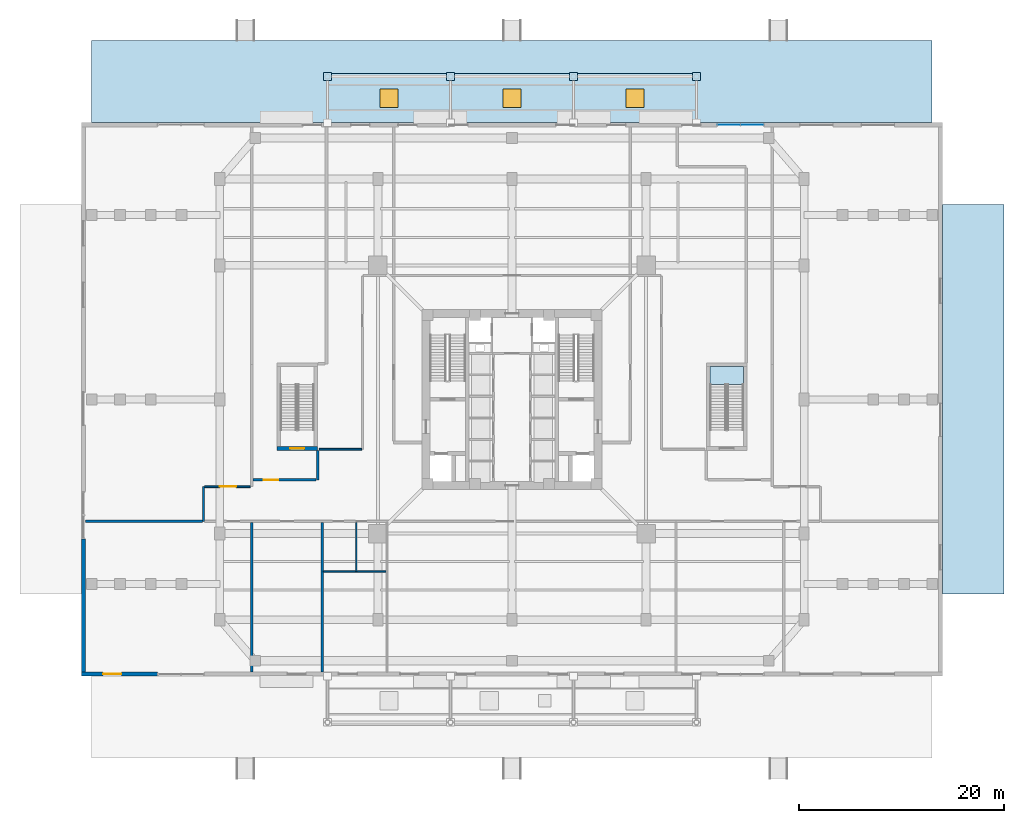
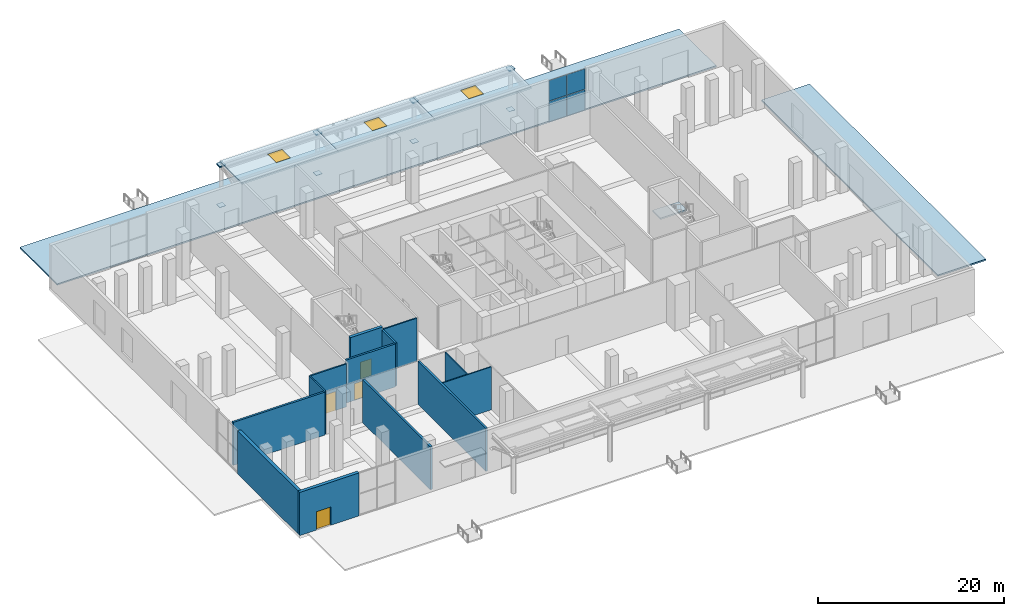
# One storey, part 14 of 25: 16 plates, 13 walls, 6 slabs, 4 doors, 3 windows, 7 openings, 2 elements without a shape of their own.
"""IFC4 building model written with IfcOpenShell, lengths in metres."""

from ifc_helpers import new_model, si_unit, direction, frame, frame_2d, origin, origin_2d, place, context, subcontext, project, spatial, polyline, rectangle, outline, extrude, source, transform, mapped, material, layer, layer_set, type_object, element, fill, aggregate, save


model = new_model("IFC4")

# Units and contexts
model_context = context("Model", 3, precision=1e-05, world=origin(), true_north=direction((0.0, 1.0)))
body_context = subcontext(model_context, "Body", "Model", "MODEL_VIEW")
ifc_project = project(units=[si_unit("LENGTHUNIT", "METRE"), si_unit("AREAUNIT", "SQUARE_METRE"), si_unit("VOLUMEUNIT", "CUBIC_METRE"), si_unit("PLANEANGLEUNIT", "RADIAN"), si_unit("MASSUNIT", "GRAM", prefix="KILO"), si_unit("THERMODYNAMICTEMPERATUREUNIT", "KELVIN")], contexts=[model_context])

# Site, building, storey
site_placement = place(None, origin())
site = spatial("IfcSite", under=ifc_project, at=site_placement, CompositionType="ELEMENT")
building_placement = place(site_placement, origin())
building = spatial("IfcBuilding", under=site, at=building_placement, Name="Kosmvard Interchange Tower", CompositionType="ELEMENT")
storey_placement = place(building_placement, origin())
storey = spatial("IfcBuildingStorey", under=building, at=storey_placement, Name="L00", CompositionType="ELEMENT", Elevation=0.0)

# Slabs
ifc_material_1 = material(Name="Concrete C40/50", Category="concrete")
ifc_layer_1 = layer(ifc_material_1, 0.18994140625, Name="Concrete C40/50")
ifc_layer_set_1 = layer_set([ifc_layer_1], Name="Concrete C40/50")
slab_type_1 = type_object("IfcSlabType", Name="Arrival Plaza Paving Slab 190 C40/50", PredefinedType="FLOOR", material=ifc_layer_set_1)
slab_1_placement = place(storey_placement, frame((0.0, 0.0, -0.18994140625)))
element("IfcSlab", 1, at=slab_1_placement, inside=storey, type_object=slab_type_1, Name="L00 Outdoor Terrace Balcony Slab PLZ-N", PredefinedType="FLOOR", context=body_context, shape_type="SweptSolid", body=[
    extrude(outline(polyline([(-41.0, 27.0), (41.0, 27.0), (41.0, 35.0), (-41.0, 35.0), (-41.0, 27.0)])), origin(), (0.0, 0.0, 1.0), 0.18994140625),
])
slab_2_placement = place(storey_placement, frame((0.0, 0.0, -0.18994140625)))
element("IfcSlab", 2, at=slab_2_placement, inside=storey, type_object=slab_type_1, Name="L00 Outdoor Terrace Balcony Slab PLZ-E", PredefinedType="FLOOR", context=body_context, shape_type="SweptSolid", body=[
    extrude(outline(polyline([(42.0, -19.0), (48.0, -19.0), (48.0, 19.0), (42.0, 19.0), (42.0, -19.0)])), origin(), (0.0, 0.0, 1.0), 0.18994140625),
])

# Slab, opening, window
ifc_material_2 = material(Name="Precast concrete C45/55", Category="concrete")
ifc_layer_2 = layer(ifc_material_2, 0.2099609375, Name="Precast concrete C45/55")
ifc_layer_set_2 = layer_set([ifc_layer_2], Name="Precast concrete C45/55")
slab_type_2 = type_object("IfcSlabType", Name="Canopy & Podium Roof Deck Slab 210 C45/55", PredefinedType="ROOF", material=ifc_layer_set_2)
slab_3_placement = place(storey_placement, frame((0.0, 0.0, 5.02001953125)))
slab_3 = element("IfcSlab", 3, at=slab_3_placement, inside=storey, type_object=slab_type_2, Name="L00 Entrance Canopy Roof Slab N1", PredefinedType="ROOF", context=body_context, shape_type="SweptSolid", body=[
    extrude(outline(polyline([(-18.0, 27.0), (-6.0, 27.0), (-6.0, 31.800048828125), (-18.0, 31.800048828125), (-18.0, 27.0)])), origin(), (0.0, 0.0, 1.0), 0.2099609375),
])
opening_1_placement = place(slab_3_placement, frame((-12.0, 29.39990234375, -0.010009765625)))
opening_1 = element("IfcOpeningElement", 4, at=opening_1_placement, cuts=slab_3, Name="Opening SK-N1", PredefinedType="OPENING", context=body_context, shape_type="SweptSolid", body=[
    extrude(rectangle(XDim=1.800048828125, YDim=1.800048828125, at=origin_2d()), origin(), (0.0, 0.0, 1.0), 0.22998046875),
])
ifc_material_3 = material(Name="Tempered skylight glazing", Category="glass")
window_type = type_object("IfcWindowType", Name="Podium Terrace Daylight Skylight 1800x1800", PartitioningType="SINGLE_PANEL", PredefinedType="SKYLIGHT", material=ifc_material_3)
window_1_placement = place(opening_1_placement, frame((0.0, 0.0, 0.169921875)))
window_1 = element("IfcWindow", 5, at=window_1_placement, inside=storey, type_object=window_type, Name="L00 Canopy Skylight N1", OverallHeight=1.800048828125, OverallWidth=1.800048828125, PartitioningType="SINGLE_PANEL", PredefinedType="SKYLIGHT", context=body_context, shape_type="SweptSolid", body=[
    extrude(rectangle(XDim=1.800048828125, YDim=1.800048828125, at=origin_2d()), origin(), (0.0, 0.0, 1.0), 0.050048828125),
])
fill(opening_1, window_1)

slab_4_placement = place(storey_placement, frame((0.0, 0.0, 5.02001953125)))
slab_4 = element("IfcSlab", 6, at=slab_4_placement, inside=storey, type_object=slab_type_2, Name="L00 Entrance Canopy Roof Slab N2", PredefinedType="ROOF", context=body_context, shape_type="SweptSolid", body=[
    extrude(outline(polyline([(-6.0, 27.0), (6.0, 27.0), (6.0, 31.800048828125), (-6.0, 31.800048828125), (-6.0, 27.0)])), origin(), (0.0, 0.0, 1.0), 0.2099609375),
])
opening_2_placement = place(slab_4_placement, frame((0.0, 29.39990234375, -0.010009765625)))
opening_2 = element("IfcOpeningElement", 7, at=opening_2_placement, cuts=slab_4, Name="Opening SK-N2", PredefinedType="OPENING", context=body_context, shape_type="SweptSolid", body=[
    extrude(rectangle(XDim=1.800048828125, YDim=1.800048828125, at=origin_2d()), origin(), (0.0, 0.0, 1.0), 0.22998046875),
])
window_2_placement = place(opening_2_placement, frame((0.0, 0.0, 0.169921875)))
window_2 = element("IfcWindow", 8, at=window_2_placement, inside=storey, type_object=window_type, Name="L00 Canopy Skylight N2", OverallHeight=1.800048828125, OverallWidth=1.800048828125, PartitioningType="SINGLE_PANEL", PredefinedType="SKYLIGHT", context=body_context, shape_type="SweptSolid", body=[
    extrude(rectangle(XDim=1.800048828125, YDim=1.800048828125, at=origin_2d()), origin(), (0.0, 0.0, 1.0), 0.050048828125),
])
fill(opening_2, window_2)

slab_5_placement = place(storey_placement, frame((0.0, 0.0, 5.02001953125)))
slab_5 = element("IfcSlab", 9, at=slab_5_placement, inside=storey, type_object=slab_type_2, Name="L00 Entrance Canopy Roof Slab N3", PredefinedType="ROOF", context=body_context, shape_type="SweptSolid", body=[
    extrude(outline(polyline([(6.0, 27.0), (18.0, 27.0), (18.0, 31.800048828125), (6.0, 31.800048828125), (6.0, 27.0)])), origin(), (0.0, 0.0, 1.0), 0.2099609375),
])
opening_3_placement = place(slab_5_placement, frame((12.0, 29.39990234375, -0.010009765625)))
opening_3 = element("IfcOpeningElement", 10, at=opening_3_placement, cuts=slab_5, Name="Opening SK-N3", PredefinedType="OPENING", context=body_context, shape_type="SweptSolid", body=[
    extrude(rectangle(XDim=1.800048828125, YDim=1.800048828125, at=origin_2d()), origin(), (0.0, 0.0, 1.0), 0.22998046875),
])
window_3_placement = place(opening_3_placement, frame((0.0, 0.0, 0.169921875)))
window_3 = element("IfcWindow", 11, at=window_3_placement, inside=storey, type_object=window_type, Name="L00 Canopy Skylight N3", OverallHeight=1.800048828125, OverallWidth=1.800048828125, PartitioningType="SINGLE_PANEL", PredefinedType="SKYLIGHT", context=body_context, shape_type="SweptSolid", body=[
    extrude(rectangle(XDim=1.800048828125, YDim=1.800048828125, at=origin_2d()), origin(), (0.0, 0.0, 1.0), 0.050048828125),
])
fill(opening_3, window_3)

# Stair, slab
ifc_material_4 = material(Name="Concrete C50/60", Category="concrete")
stair_type = type_object("IfcStairType", Name="Dog-Leg Core Exit Stair H6000 C50/60", PredefinedType="HALF_TURN_STAIR", material=ifc_material_4)
stair_placement = place(storey_placement, origin())
stair = element("IfcStair", 12, at=stair_placement, inside=storey, type_object=stair_type, Name="L00 Podium Concourse Stair ST-4", PredefinedType="HALF_TURN_STAIR")
ifc_layer_3 = layer(ifc_material_4, 0.199951171875, Name="Concrete C50/60")
ifc_layer_set_3 = layer_set([ifc_layer_3], Name="Concrete C50/60")
slab_type_3 = type_object("IfcSlabType", Name="Stair Half-Landing Slab 200 C50/60", PredefinedType="LANDING", material=ifc_layer_set_3)
slab_6_placement = place(storey_placement, frame((0.0, 0.0, 2.800048828125)))
slab_6 = element("IfcSlab", 13, at=slab_6_placement, type_object=slab_type_3, Name="ST-4 landing 1", PredefinedType="LANDING", context=body_context, shape_type="SweptSolid", body=[
    extrude(outline(polyline([(22.580078125, 1.47998046875), (22.580078125, 3.199951171875), (19.320068359375, 3.199951171875), (19.320068359375, 1.47998046875), (22.580078125, 1.47998046875)])), origin(), (0.0, 0.0, 1.0), 0.199951171875),
])
aggregate(stair, [slab_6])

# Plates
ifc_material_5 = material(Name="Steel S355", Category="steel")
ifc_layer_4 = layer(ifc_material_5, 0.0380859375, Name="Steel S355")
ifc_layer_set_4 = layer_set([ifc_layer_4], Name="Steel S355")
plate_type_1 = type_object("IfcPlateType", Name="Lantern Base & Chord End Cap Stiffener 750x750x38 S355", PredefinedType="USERDEFINED", material=ifc_layer_set_4)
shared_shape_1 = source(origin(), body_context, "Body", "SweptSolid", [
    extrude(rectangle(XDim=0.75, YDim=0.75, at=origin_2d()), origin(), (0.0, 0.0, 1.0), 0.0380859375),
])
for number, where, z_axis, x_axis, name in (
    (14, (-18.0, 31.5, -0.4189453125), (0.0, 0.0, 1.0), (1.0, 0.0, 0.0), "Canopy Column End Cap Plate COL-L00-CCN1 BOT"),
    (15, (-18.0, 31.5, 4.98095703125), (0.0, 0.0, 1.0), (1.0, 0.0, 0.0), "Canopy Column End Cap Plate COL-L00-CCN1 TOP"),
    (16, (-6.0, 31.5, -0.4189453125), (0.0, 0.0, 1.0), (1.0, 0.0, 0.0), "Canopy Column End Cap Plate COL-L00-CCN2 BOT"),
    (17, (-6.0, 31.5, 4.98095703125), (0.0, 0.0, 1.0), (1.0, 0.0, 0.0), "Canopy Column End Cap Plate COL-L00-CCN2 TOP"),
    (18, (6.0, 31.5, -0.4189453125), (0.0, 0.0, 1.0), (1.0, 0.0, 0.0), "Canopy Column End Cap Plate COL-L00-CCN3 BOT"),
    (19, (6.0, 31.5, 4.98095703125), (0.0, 0.0, 1.0), (1.0, 0.0, 0.0), "Canopy Column End Cap Plate COL-L00-CCN3 TOP"),
    (20, (18.0, 31.5, -0.4189453125), (0.0, 0.0, 1.0), (1.0, 0.0, 0.0), "Canopy Column End Cap Plate COL-L00-CCN4 BOT"),
    (21, (18.0, 31.5, 4.98095703125), (0.0, 0.0, 1.0), (1.0, 0.0, 0.0), "Canopy Column End Cap Plate COL-L00-CCN4 TOP"),
    (22, (-18.0, 31.5, 4.8310546875), (0.0, 0.0, 1.0), (1.0, 0.0, 0.0), "Canopy Strut Gusset Cap MEM-L00-CSN1 B"),
    (23, (-6.0, 31.5, 4.8310546875), (0.0, 0.0, 1.0), (1.0, 0.0, 0.0), "Canopy Strut Gusset Cap MEM-L00-CSN2 B"),
    (24, (6.0, 31.5, 4.8310546875), (0.0, 0.0, 1.0), (1.0, 0.0, 0.0), "Canopy Strut Gusset Cap MEM-L00-CSN3 B"),
    (25, (18.0, 31.5, 4.8310546875), (0.0, 0.0, 1.0), (1.0, 0.0, 0.0), "Canopy Strut Gusset Cap MEM-L00-CSN4 B"),
):
    element("IfcPlate", number, at=place(storey_placement, frame(where, z_axis=z_axis, x_axis=x_axis)), inside=storey, type_object=plate_type_1, Name=name, ObjectType="STIFFENER_PLATE", PredefinedType="USERDEFINED", context=body_context, shape_type="MappedRepresentation", body=[
        mapped(shared_shape_1, transform((0.0, 0.0, 0.0), scale=1.0)),
    ])

# Curtain wall, plates
ifc_material_6 = material(Name="Architectural anodised aluminium", Category="aluminium")
ifc_layer_5 = layer(ifc_material_6, 0.219970703125, Name="Architectural anodised aluminium")
ifc_layer_set_5 = layer_set([ifc_layer_5], Name="Architectural anodised aluminium")
curtain_wall_type = type_object("IfcCurtainWallType", Name="CW-1 Concourse Shopfront Curtain Wall", PredefinedType="NOTDEFINED", material=ifc_layer_set_5)
curtain_wall_placement = place(storey_placement, origin())
curtain_wall = element("IfcCurtainWall", 26, at=curtain_wall_placement, inside=storey, type_object=curtain_wall_type, Name="L00 Shopfront Curtain Wall CW1-N2", PredefinedType="NOTDEFINED")
ifc_material_7 = material(Name="Low-E solar-control double glazing", Category="glass")
ifc_layer_6 = layer(ifc_material_7, 0.028076171875, Name="Low-E solar-control double glazing")
ifc_layer_set_6 = layer_set([ifc_layer_6], Name="Low-E solar-control double glazing")
plate_type_2 = type_object("IfcPlateType", Name="Concourse Vision Curtain Panel 28", PredefinedType="CURTAIN_PANEL", material=ifc_layer_set_6)
shared_shape_2 = source(origin(), body_context, "Body", "SweptSolid", [
    extrude(rectangle(XDim=2.1875, YDim=0.028076171875, at=origin_2d()), origin(), (0.0, 0.0, 1.0), 2.6826171875),
])
plate_1_placement = place(storey_placement, frame((21.168701171875, 26.800048828125, 0.06494140625), z_axis=(0.0, 0.0, 1.0), x_axis=(1.0, 0.0, 0.0)))
plate_1 = element("IfcPlate", 27, at=plate_1_placement, type_object=plate_type_2, Name="CW-1 panel 1.1", PredefinedType="CURTAIN_PANEL", context=body_context, shape_type="MappedRepresentation", body=[
    mapped(shared_shape_2, transform((0.0, 0.0, 0.0), scale=1.0)),
])
plate_2_placement = place(storey_placement, frame((21.168701171875, 26.800048828125, 2.8125), z_axis=(0.0, 0.0, 1.0), x_axis=(1.0, 0.0, 0.0)))
plate_2 = element("IfcPlate", 28, at=plate_2_placement, type_object=plate_type_2, Name="CW-1 panel 1.2", PredefinedType="CURTAIN_PANEL", context=body_context, shape_type="MappedRepresentation", body=[
    mapped(shared_shape_2, transform((0.0, 0.0, 0.0), scale=1.0)),
])
plate_3_placement = place(storey_placement, frame((23.43115234375, 26.800048828125, 0.06494140625), z_axis=(0.0, 0.0, 1.0), x_axis=(1.0, 0.0, 0.0)))
plate_3 = element("IfcPlate", 29, at=plate_3_placement, type_object=plate_type_2, Name="CW-1 panel 2.1", PredefinedType="CURTAIN_PANEL", context=body_context, shape_type="MappedRepresentation", body=[
    mapped(shared_shape_2, transform((0.0, 0.0, 0.0), scale=1.0)),
])
plate_4_placement = place(storey_placement, frame((23.43115234375, 26.800048828125, 2.8125), z_axis=(0.0, 0.0, 1.0), x_axis=(1.0, 0.0, 0.0)))
plate_4 = element("IfcPlate", 30, at=plate_4_placement, type_object=plate_type_2, Name="CW-1 panel 2.2", PredefinedType="CURTAIN_PANEL", context=body_context, shape_type="MappedRepresentation", body=[
    mapped(shared_shape_2, transform((0.0, 0.0, 0.0), scale=1.0)),
])
aggregate(curtain_wall, [plate_1, plate_2, plate_3, plate_4])

# Wall, opening, door
ifc_material_8 = material(Name="Fire-rated gypsum partition system")
ifc_layer_7 = layer(ifc_material_8, 0.179931640625, Name="Fire-rated gypsum partition system")
ifc_layer_set_7 = layer_set([ifc_layer_7], Name="Fire-rated gypsum partition system")
wall_type_1 = type_object("IfcWallType", Name="Corridor & Hotel Compartment Partition 180", PredefinedType="PARTITIONING", material=ifc_layer_set_7)
wall_1_placement = place(storey_placement, frame((-30.0, -8.510009765625, 0.0), z_axis=(0.0, 0.0, 1.0), x_axis=(1.0, 0.0, 0.0)))
wall_1 = element("IfcWall", 31, at=wall_1_placement, inside=storey, type_object=wall_type_1, Name="L00 Partition W-CNWL", PredefinedType="PARTITIONING", context=body_context, shape_type="SweptSolid", body=[
    extrude(rectangle(XDim=4.449951171875, YDim=0.179931640625, at=frame_2d((2.22509765625, 0.0))), origin(), (0.0, 0.0, 1.0), 5.659912109375),
])
opening_4_placement = place(wall_1_placement, frame((1.5, 0.0, 0.0)))
opening_4 = element("IfcOpeningElement", 32, at=opening_4_placement, cuts=wall_1, Name="Opening L00-D09", PredefinedType="OPENING", context=body_context, shape_type="SweptSolid", body=[
    extrude(rectangle(XDim=1.60009765625, YDim=2.5, at=frame_2d((0.800048828125, 1.25))), frame((0.0, 0.10009765625, 0.0), z_axis=(0.0, -1.0, 0.0), x_axis=(1.0, 0.0, 0.0)), (0.0, 0.0, 1.0), 0.199951171875),
])
ifc_material_9 = material(Name="Anodised aluminium and safety glass", Category="aluminium")
door_type_1 = type_object("IfcDoorType", Name="Concourse Entrance Glazed Door 1600x2500", OperationType="NOTDEFINED", PredefinedType="DOOR", material=ifc_material_9)
shared_shape_3 = source(origin(), body_context, "Body", "SweptSolid", [
    extrude(rectangle(XDim=1.60009765625, YDim=2.5, at=frame_2d((0.800048828125, 1.25))), frame((0.0, 0.02490234375, 0.0), z_axis=(0.0, -1.0, 0.0), x_axis=(1.0, 0.0, 0.0)), (0.0, 0.0, 1.0), 0.050048828125),
])
door_1_placement = place(opening_4_placement, origin())
door_1 = element("IfcDoor", 33, at=door_1_placement, inside=storey, type_object=door_type_1, Name="L00 Interior Door 9", OperationType="SINGLE_SWING_RIGHT", OverallHeight=2.5, OverallWidth=1.60009765625, PredefinedType="DOOR", context=body_context, shape_type="MappedRepresentation", body=[
    mapped(shared_shape_3, transform((0.0, 0.0, 0.0), scale=1.0)),
])
fill(opening_4, door_1)

# Walls
wall_2_placement = place(storey_placement, frame((-30.090087890625, -11.889892578125, 0.0), z_axis=(0.0, 0.0, 1.0), x_axis=(0.0, 1.0, 0.0)))
element("IfcWall", 34, at=wall_2_placement, inside=storey, type_object=wall_type_1, Name="L00 Partition W-CWE", PredefinedType="PARTITIONING", context=body_context, shape_type="SweptSolid", body=[
    extrude(rectangle(XDim=3.3798828125, YDim=0.179931640625, at=frame_2d((1.68994140625, 0.0))), origin(), (0.0, 0.0, 1.0), 5.659912109375),
])
wall_3_placement = place(storey_placement, frame((-18.800048828125, -4.860107421875, 0.0), z_axis=(0.0, 0.0, 1.0), x_axis=(1.0, 0.0, 0.0)))
element("IfcWall", 35, at=wall_3_placement, inside=storey, type_object=wall_type_1, Name="L00 Partition W-CNW", PredefinedType="PARTITIONING", context=body_context, shape_type="SweptSolid", body=[
    extrude(rectangle(XDim=4.1201171875, YDim=0.179931640625, at=frame_2d((2.06005859375, 0.0))), origin(), (0.0, 0.0, 1.0), 5.659912109375),
])

# Wall, opening, door
ifc_material_10 = material(Name="Concrete blockwork masonry", Category="masonry")
ifc_layer_8 = layer(ifc_material_10, 0.25, Name="Concrete blockwork masonry")
ifc_layer_set_8 = layer_set([ifc_layer_8], Name="Concrete blockwork masonry")
wall_type_2 = type_object("IfcWallType", Name="Exit Passage & Firefighting Lobby Wall 250", PredefinedType="PARTITIONING", material=ifc_layer_set_8)
wall_4_placement = place(storey_placement, frame((-25.25, -7.85009765625, 0.0), z_axis=(0.0, 0.0, 1.0), x_axis=(1.0, 0.0, 0.0)))
wall_4 = element("IfcWall", 36, at=wall_4_placement, inside=storey, type_object=wall_type_2, Name="L00 Partition EP3S", PredefinedType="PARTITIONING", context=body_context, shape_type="SweptSolid", body=[
    extrude(rectangle(XDim=6.14990234375, YDim=0.25, at=frame_2d((3.074951171875, 0.0))), origin(), (0.0, 0.0, 1.0), 5.659912109375),
])
opening_5_placement = place(wall_4_placement, frame((1.050048828125, 0.0, 0.0)))
opening_5 = element("IfcOpeningElement", 37, at=opening_5_placement, cuts=wall_4, Name="Opening L00-EPD3", PredefinedType="OPENING", context=body_context, shape_type="SweptSolid", body=[
    extrude(rectangle(XDim=1.39990234375, YDim=2.199951171875, at=frame_2d((0.699951171875, 1.10009765625))), frame((0.0, 0.135009765625, 0.0), z_axis=(0.0, -1.0, 0.0), x_axis=(1.0, 0.0, 0.0)), (0.0, 0.0, 1.0), 0.27001953125),
])
ifc_material_11 = material(Name="Painted fire-rated steel leaf", Category="steel")
door_type_2 = type_object("IfcDoorType", Name="Protected Stair Door 1400x2200 FD60S", OperationType="NOTDEFINED", PredefinedType="DOOR", material=ifc_material_11)
shared_shape_4 = source(origin(), body_context, "Body", "SweptSolid", [
    extrude(rectangle(XDim=1.39990234375, YDim=2.199951171875, at=frame_2d((0.699951171875, 1.10009765625))), frame((0.0, 0.02490234375, 0.0), z_axis=(0.0, -1.0, 0.0), x_axis=(1.0, 0.0, 0.0)), (0.0, 0.0, 1.0), 0.050048828125),
])
door_2_placement = place(opening_5_placement, origin())
door_2 = element("IfcDoor", 38, at=door_2_placement, inside=storey, type_object=door_type_2, Name="L00 Concourse to Exit Passageway SW Door", OperationType="SINGLE_SWING_LEFT", OverallHeight=2.199951171875, OverallWidth=1.39990234375, PredefinedType="DOOR", context=body_context, shape_type="MappedRepresentation", body=[
    mapped(shared_shape_4, transform((0.0, 0.0, 0.0), scale=1.0)),
])
fill(opening_5, door_2)

# Walls
wall_5_placement = place(storey_placement, frame((-18.9599609375, -7.85009765625, 0.0), z_axis=(0.0, 0.0, 1.0), x_axis=(0.0, 1.0, 0.0)))
element("IfcWall", 39, at=wall_5_placement, inside=storey, type_object=wall_type_2, Name="L00 Partition EP3E1", PredefinedType="PARTITIONING", context=body_context, shape_type="SweptSolid", body=[
    extrude(rectangle(XDim=2.85009765625, YDim=0.25, at=frame_2d((1.425048828125, 0.0))), origin(), (0.0, 0.0, 1.0), 5.659912109375),
])
wall_6_placement = place(storey_placement, frame((-41.597900390625, -11.889892578125, 0.0), z_axis=(0.0, 0.0, 1.0), x_axis=(1.0, 0.0, 0.0)))
element("IfcWall", 40, at=wall_6_placement, inside=storey, type_object=wall_type_2, Name="L00 Partition W-RWT", PredefinedType="PARTITIONING", context=body_context, shape_type="SweptSolid", body=[
    extrude(rectangle(XDim=11.41796875, YDim=0.25, at=frame_2d((5.708984375, 0.0))), origin(), (0.0, 0.0, 1.0), 5.659912109375),
])
for number, where, z_axis, x_axis, name in (
    (41, (-25.39990234375, -26.597900390625, 0.0), (0.0, 0.0, 1.0), (0.0, 1.0, 0.0), "L00 Partition W-FC1"),
    (42, (-18.5, -26.597900390625, 0.0), (0.0, 0.0, 1.0), (0.0, 1.0, 0.0), "L00 Partition W-FC3"),
):
    element("IfcWall", number, at=place(storey_placement, frame(where, z_axis=z_axis, x_axis=x_axis)), inside=storey, type_object=wall_type_2, Name=name, PredefinedType="PARTITIONING", context=body_context, shape_type="SweptSolid", body=[
        extrude(rectangle(XDim=14.597900390625, YDim=0.25, at=frame_2d((7.298828125, 0.0))), origin(), (0.0, 0.0, 1.0), 5.659912109375),
    ])

# Wall, opening, door
ifc_layer_9 = layer(ifc_material_2, 0.39990234375, Name="Precast concrete C45/55")
ifc_layer_set_9 = layer_set([ifc_layer_9], Name="Precast concrete C45/55")
wall_type_3 = type_object("IfcWallType", Name="Podium Precast Stone Pier Wall 400 C45/55", PredefinedType="STANDARD", material=ifc_layer_set_9)
wall_7_placement = place(storey_placement, frame((-42.0, -26.800048828125, 0.0), z_axis=(0.0, 0.0, 1.0), x_axis=(1.0, 0.0, 0.0)))
wall_7 = element("IfcWall", 43, at=wall_7_placement, inside=storey, type_object=wall_type_3, Name="L00 Exterior Precast Wall EW-S1", PredefinedType="STANDARD", context=body_context, shape_type="SweptSolid", body=[
    extrude(rectangle(XDim=7.39990234375, YDim=0.39990234375, at=frame_2d((3.699951171875, 0.0))), origin(), (0.0, 0.0, 1.0), 5.659912109375),
])
opening_6_placement = place(wall_7_placement, frame((2.10009765625, 0.0, 0.0)))
opening_6 = element("IfcOpeningElement", 44, at=opening_6_placement, cuts=wall_7, Name="Opening L00-EXS0", PredefinedType="OPENING", context=body_context, shape_type="SweptSolid", body=[
    extrude(rectangle(XDim=1.800048828125, YDim=2.39990234375, at=frame_2d((0.89990234375, 1.199951171875))), frame((0.0, 0.2099609375, 0.0), z_axis=(0.0, -1.0, 0.0), x_axis=(1.0, 0.0, 0.0)), (0.0, 0.0, 1.0), 0.419921875),
])
door_type_3 = type_object("IfcDoorType", Name="Final Exit Discharge Door 1800x2400 FD60S", OperationType="NOTDEFINED", PredefinedType="DOOR", material=ifc_material_9)
shared_shape_5 = source(origin(), body_context, "Body", "SweptSolid", [
    extrude(rectangle(XDim=1.800048828125, YDim=2.39990234375, at=frame_2d((0.89990234375, 1.199951171875))), frame((0.0, 0.02490234375, 0.0), z_axis=(0.0, -1.0, 0.0), x_axis=(1.0, 0.0, 0.0)), (0.0, 0.0, 1.0), 0.050048828125),
])
door_3_placement = place(opening_6_placement, frame((1.800048828125, 0.0, 0.0), z_axis=(0.0, 0.0, 1.0), x_axis=(-1.0, 0.0, 0.0)))
door_3 = element("IfcDoor", 45, at=door_3_placement, inside=storey, type_object=door_type_3, Name="L00 Fire Intervention Exterior Exit Door", OperationType="SINGLE_SWING_LEFT", OverallHeight=2.39990234375, OverallWidth=1.800048828125, PredefinedType="DOOR", context=body_context, shape_type="MappedRepresentation", body=[
    mapped(shared_shape_5, transform((0.0, 0.0, 0.0), scale=1.0)),
])
fill(opening_6, door_3)

# Wall
wall_8_placement = place(storey_placement, frame((-41.800048828125, -26.60009765625, 0.0), z_axis=(0.0, 0.0, 1.0), x_axis=(0.0, 1.0, 0.0)))
element("IfcWall", 46, at=wall_8_placement, inside=storey, type_object=wall_type_3, Name="L00 Exterior Precast Wall EW-W1", PredefinedType="STANDARD", context=body_context, shape_type="SweptSolid", body=[
    extrude(rectangle(XDim=13.0, YDim=0.39990234375, at=frame_2d((6.5, 0.0))), origin(), (0.0, 0.0, 1.0), 5.659912109375),
])

# Wall, opening, door
ifc_material_12 = material(Name="Concrete C60/75", Category="concrete")
ifc_layer_10 = layer(ifc_material_12, 0.360107421875, Name="Concrete C60/75")
ifc_layer_set_10 = layer_set([ifc_layer_10], Name="Concrete C60/75")
wall_type_4 = type_object("IfcWallType", Name="Stair & Lift Shaft Shear Wall 360 C60/75", PredefinedType="SHEAR", material=ifc_layer_set_10)
wall_9_placement = place(storey_placement, frame((-22.93994140625, -4.780029296875, 0.0), z_axis=(0.0, 0.0, 1.0), x_axis=(1.0, 0.0, 0.0)))
wall_9 = element("IfcWall", 47, at=wall_9_placement, inside=storey, type_object=wall_type_4, Name="L00 Podium Stair Shear Wall ST3S", PredefinedType="SHEAR", context=body_context, shape_type="SweptSolid", body=[
    extrude(rectangle(XDim=3.97998046875, YDim=0.360107421875, at=frame_2d((1.989990234375, 0.0))), origin(), (0.0, 0.0, 1.0), 6.0),
])
opening_7_placement = place(wall_9_placement, frame((1.2900390625, 0.0, 0.0)))
opening_7 = element("IfcOpeningElement", 48, at=opening_7_placement, cuts=wall_9, Name="Opening L00-SD3", PredefinedType="OPENING", context=body_context, shape_type="SweptSolid", body=[
    extrude(rectangle(XDim=1.39990234375, YDim=2.199951171875, at=frame_2d((0.699951171875, 1.10009765625))), frame((0.0, 0.18994140625, 0.0), z_axis=(0.0, -1.0, 0.0), x_axis=(1.0, 0.0, 0.0)), (0.0, 0.0, 1.0), 0.380126953125),
])
door_4_placement = place(opening_7_placement, frame((1.39990234375, 0.0, 0.0), z_axis=(0.0, 0.0, 1.0), x_axis=(-1.0, 0.0, 0.0)))
door_4 = element("IfcDoor", 49, at=door_4_placement, inside=storey, type_object=door_type_2, Name="L00 Podium Stair ST3 Door", OperationType="SINGLE_SWING_LEFT", OverallHeight=2.199951171875, OverallWidth=1.39990234375, PredefinedType="DOOR", context=body_context, shape_type="MappedRepresentation", body=[
    mapped(shared_shape_4, transform((0.0, 0.0, 0.0), scale=1.0)),
])
fill(opening_7, door_4)

# Walls
ifc_material_13 = material(Name="Moisture-resistant gypsum partition")
ifc_layer_11 = layer(ifc_material_13, 0.135009765625, Name="Moisture-resistant gypsum partition")
ifc_layer_set_11 = layer_set([ifc_layer_11], Name="Moisture-resistant gypsum partition")
wall_type_5 = type_object("IfcWallType", Name="Wet Room Moisture-Resistant Partition 135", PredefinedType="PARTITIONING", material=ifc_layer_set_11)
wall_10_placement = place(storey_placement, frame((-15.199951171875, -16.800048828125, 0.0), z_axis=(0.0, 0.0, 1.0), x_axis=(0.0, 1.0, 0.0)))
element("IfcWall", 50, at=wall_10_placement, inside=storey, type_object=wall_type_5, Name="L00 Partition W-WC1", PredefinedType="PARTITIONING", context=body_context, shape_type="SweptSolid", body=[
    extrude(rectangle(XDim=4.800048828125, YDim=0.135009765625, at=frame_2d((2.39990234375, 0.0))), origin(), (0.0, 0.0, 1.0), 5.659912109375),
])
wall_11_placement = place(storey_placement, frame((-18.39990234375, -16.800048828125, 0.0), z_axis=(0.0, 0.0, 1.0), x_axis=(1.0, 0.0, 0.0)))
element("IfcWall", 51, at=wall_11_placement, inside=storey, type_object=wall_type_5, Name="L00 Partition W-WCH", PredefinedType="PARTITIONING", context=body_context, shape_type="SweptSolid", body=[
    extrude(rectangle(XDim=6.099853515625, YDim=0.135009765625, at=frame_2d((3.0498046875, 0.0))), origin(), (0.0, 0.0, 1.0), 5.659912109375),
])

save(model, "model.ifc")
